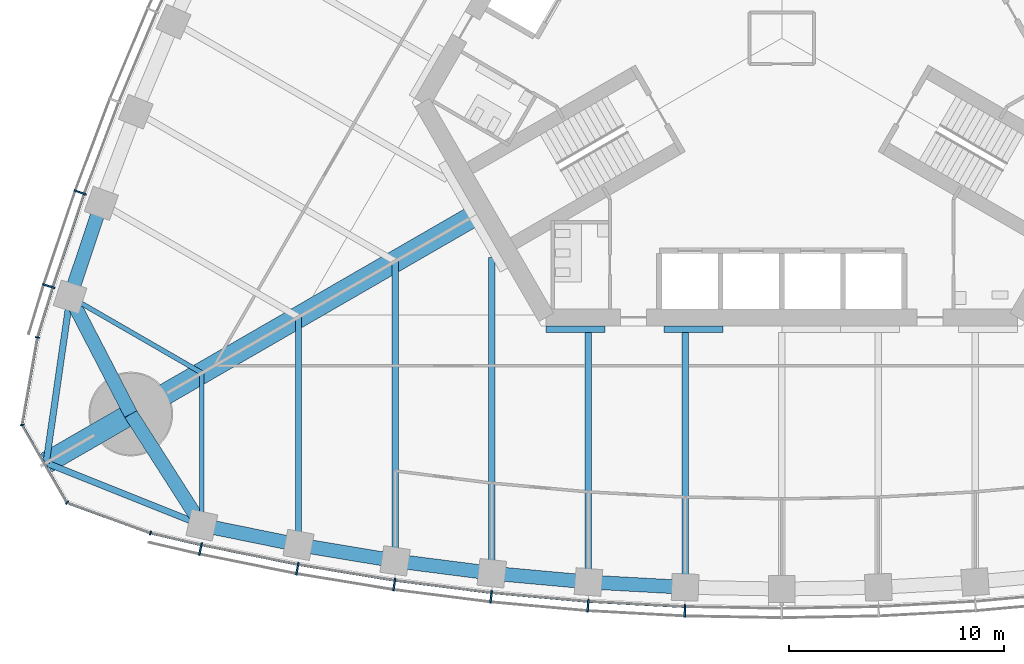
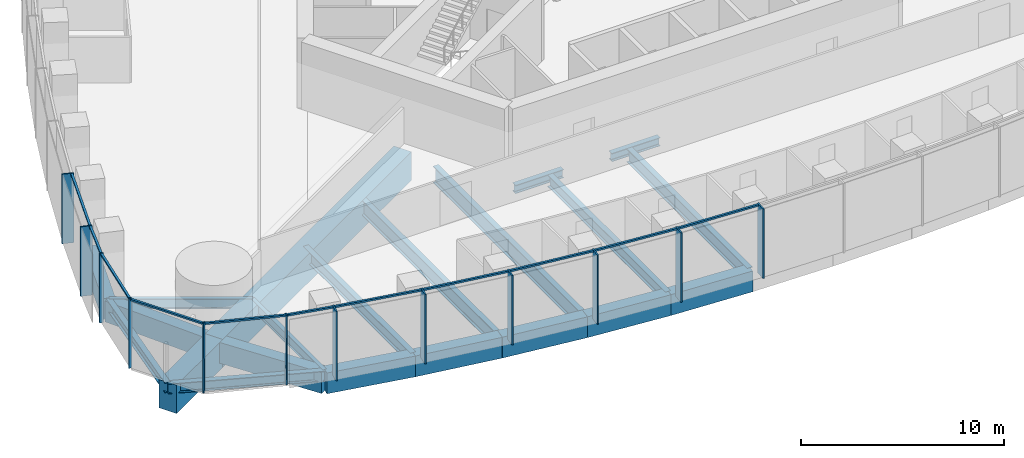
# One storey, part 2 of 21: 23 members, 21 beams, 3 elements without a shape of their own.
"""IFC4 building model written with IfcOpenShell, lengths in metres."""

from ifc_helpers import new_model, si_unit, direction, frame, origin, origin_2d, place, context, subcontext, project, spatial, rectangle, i_section, extrude, material, material_profile, profile_set, type_object, element, aggregate, save


model = new_model("IFC4")

# Units and contexts
model_context = context("Model", 3, precision=1e-05, world=origin(), true_north=direction((0.0, 1.0)))
body_context = subcontext(model_context, "Body", "Model", "MODEL_VIEW")
ifc_project = project(units=[si_unit("LENGTHUNIT", "METRE"), si_unit("AREAUNIT", "SQUARE_METRE"), si_unit("VOLUMEUNIT", "CUBIC_METRE"), si_unit("PLANEANGLEUNIT", "RADIAN"), si_unit("MASSUNIT", "GRAM", prefix="KILO")], contexts=[model_context])

# Site, building, storey
site_placement = place(None, origin())
site = spatial("IfcSite", under=ifc_project, at=site_placement, CompositionType="ELEMENT")
building_placement = place(site_placement, origin())
building = spatial("IfcBuilding", under=site, at=building_placement, Name="Trefoil Bronze Tower", CompositionType="ELEMENT")
storey_placement = place(building_placement, frame((0.0, 0.0, 145.10009765625)))
storey = spatial("IfcBuildingStorey", under=building, at=storey_placement, Name="L33", CompositionType="ELEMENT", Elevation=145.10009765625)

# Curtain wall, members
ifc_material_1 = material(Name="Tinted solar-control glass", Category="glass")
curtain_wall_type_1 = type_object("IfcCurtainWallType", Name="Bronze office curtain wall", PredefinedType="USERDEFINED", material=ifc_material_1)
curtain_wall_1_placement = place(storey_placement, origin())
curtain_wall_1 = element("IfcCurtainWall", 1, at=curtain_wall_1_placement, inside=storey, type_object=curtain_wall_type_1, Name="CW-A L33 F1", ObjectType="CURTAIN WALL", PredefinedType="USERDEFINED")
ifc_material_2 = material(Name="Bronze-finish aluminium", Category="aluminium")
ifc_material_profile_1 = material_profile(ifc_material_2, rectangle(XDim=0.60009765625, YDim=0.080078125, at=origin_2d()), Name="CW-A mullion")
ifc_profile_set_1 = profile_set([ifc_material_profile_1], Name="Bronze-finish aluminium")
member_type_1 = type_object("IfcMemberType", Name="Bronze office curtain wall mullion", PredefinedType="MULLION", material=ifc_profile_set_1)
member_1_placement = place(storey_placement, frame((-27.0634765625, -23.7890625, 0.0), z_axis=(0.0, 0.0, 1.0), x_axis=(0.21197042503, 0.977276081214, 0.0)))
member_1 = element("IfcMember", 2, at=member_1_placement, type_object=member_type_1, Name="CW-A L33 F1 mullion 2", PredefinedType="MULLION", context=body_context, shape_type="SweptSolid", body=[
    extrude(rectangle(XDim=0.60009765625, YDim=0.080078125, at=origin_2d()), origin(), (0.0, 0.0, 1.0), 4.179931640625),
])
member_2_placement = place(storey_placement, frame((-22.553955078125, -24.700927734375, 0.0), z_axis=(0.0, 0.0, 1.0), x_axis=(0.180240853954, 0.98362250613, 0.0)))
member_2 = element("IfcMember", 3, at=member_2_placement, type_object=member_type_1, Name="CW-A L33 F1 mullion 3", PredefinedType="MULLION", context=body_context, shape_type="SweptSolid", body=[
    extrude(rectangle(XDim=0.60009765625, YDim=0.080078125, at=origin_2d()), origin(), (0.0, 0.0, 1.0), 4.179931640625),
])
member_3_placement = place(storey_placement, frame((-18.043212890625, -25.4423828125, 0.0), z_axis=(0.0, 0.0, 1.0), x_axis=(0.144192103798, 0.989549714366, 0.0)))
member_3 = element("IfcMember", 4, at=member_3_placement, type_object=member_type_1, Name="CW-A L33 F1 mullion 4", PredefinedType="MULLION", context=body_context, shape_type="SweptSolid", body=[
    extrude(rectangle(XDim=0.60009765625, YDim=0.080078125, at=origin_2d()), origin(), (0.0, 0.0, 1.0), 4.179931640625),
])
member_4_placement = place(storey_placement, frame((-13.532470703125, -26.01611328125, 0.0), z_axis=(0.0, 0.0, 1.0), x_axis=(0.108143747013, 0.994135267447, 0.0)))
member_4 = element("IfcMember", 5, at=member_4_placement, type_object=member_type_1, Name="CW-A L33 F1 mullion 5", PredefinedType="MULLION", context=body_context, shape_type="SweptSolid", body=[
    extrude(rectangle(XDim=0.60009765625, YDim=0.080078125, at=origin_2d()), origin(), (0.0, 0.0, 1.0), 4.179931640625),
])
member_5_placement = place(storey_placement, frame((-9.021728515625, -26.424072265625, 0.0), z_axis=(0.0, 0.0, 1.0), x_axis=(0.072095676284, 0.997397720802, 0.0)))
member_5 = element("IfcMember", 6, at=member_5_placement, type_object=member_type_1, Name="CW-A L33 F1 mullion 6", PredefinedType="MULLION", context=body_context, shape_type="SweptSolid", body=[
    extrude(rectangle(XDim=0.60009765625, YDim=0.080078125, at=origin_2d()), origin(), (0.0, 0.0, 1.0), 4.179931640625),
])
member_6_placement = place(storey_placement, frame((-4.5107421875, -26.66845703125, 0.0), z_axis=(0.0, 0.0, 1.0), x_axis=(0.036047792107, 0.999350067136, 0.0)))
member_6 = element("IfcMember", 7, at=member_6_placement, type_object=member_type_1, Name="CW-A L33 F1 mullion 7", PredefinedType="MULLION", context=body_context, shape_type="SweptSolid", body=[
    extrude(rectangle(XDim=0.60009765625, YDim=0.080078125, at=origin_2d()), origin(), (0.0, 0.0, 1.0), 4.179931640625),
])

curtain_wall_2_placement = place(storey_placement, origin())
curtain_wall_2 = element("IfcCurtainWall", 8, at=curtain_wall_2_placement, inside=storey, type_object=curtain_wall_type_1, Name="CW-A L33 F3", ObjectType="CURTAIN WALL", PredefinedType="USERDEFINED")
member_7_placement = place(storey_placement, frame((-32.668701171875, -7.181884765625, 0.0), z_axis=(0.0, 0.0, 1.0), x_axis=(0.94196250502, -0.335718094742, 0.0)))
member_7 = element("IfcMember", 9, at=member_7_placement, type_object=member_type_1, Name="CW-A L33 F3 mullion 13", PredefinedType="MULLION", context=body_context, shape_type="SweptSolid", body=[
    extrude(rectangle(XDim=0.60009765625, YDim=0.080078125, at=origin_2d()), origin(), (0.0, 0.0, 1.0), 4.179931640625),
])
member_8_placement = place(storey_placement, frame((-34.1337890625, -11.543212890625, 0.0), z_axis=(0.0, 0.0, 1.0), x_axis=(0.952331125357, -0.30506626768, 0.0)))
member_8 = element("IfcMember", 10, at=member_8_placement, type_object=member_type_1, Name="CW-A L33 F3 mullion 14", PredefinedType="MULLION", context=body_context, shape_type="SweptSolid", body=[
    extrude(rectangle(XDim=0.60009765625, YDim=0.080078125, at=origin_2d()), origin(), (0.0, 0.0, 1.0), 4.179931640625),
])

# Member
ifc_material_3 = material(Name="Bronze-finish aluminium", Category="aluminium")
ifc_material_profile_2 = material_profile(ifc_material_3, rectangle(XDim=0.1201171875, YDim=0.10009765625, at=origin_2d()), Name="CW-A transom")
ifc_profile_set_2 = profile_set([ifc_material_profile_2], Name="Bronze-finish aluminium")
member_type_2 = type_object("IfcMemberType", Name="Bronze office curtain wall transom", PredefinedType="USERDEFINED", material=ifc_profile_set_2)
member_9_placement = place(storey_placement, frame((-29.34130859375, -23.05615234375, 4.1298828125), z_axis=(0.974206243495, -0.225659467196, 0.0), x_axis=(0.225659467196, 0.974206243495, 0.0)))
member_9 = element("IfcMember", 11, at=member_9_placement, type_object=member_type_2, Name="CW-A L33 F1 transom 1", ObjectType="TRANSOM", PredefinedType="USERDEFINED", context=body_context, shape_type="SweptSolid", body=[
    extrude(rectangle(XDim=0.1201171875, YDim=0.10009765625, at=origin_2d()), origin(), (0.0, 0.0, 1.0), 2.340087890625),
])

member_10_placement = place(storey_placement, frame((-26.980712890625, -23.601806640625, 4.1298828125), z_axis=(0.980153749225, -0.198238815273, 0.0), x_axis=(0.198238815273, 0.980153749225, 0.0)))
member_10 = element("IfcMember", 12, at=member_10_placement, type_object=member_type_2, Name="CW-A L33 F1 transom 2", ObjectType="TRANSOM", PredefinedType="USERDEFINED", context=body_context, shape_type="SweptSolid", body=[
    extrude(rectangle(XDim=0.1201171875, YDim=0.10009765625, at=origin_2d()), origin(), (0.0, 0.0, 1.0), 4.51123046875),
])

member_11_placement = place(storey_placement, frame((-22.476806640625, -24.510986328125, 4.1298828125), z_axis=(0.986755265284, -0.162216048636, 0.0), x_axis=(0.162216048636, 0.986755265284, 0.0)))
member_11 = element("IfcMember", 13, at=member_11_placement, type_object=member_type_2, Name="CW-A L33 F1 transom 3", ObjectType="TRANSOM", PredefinedType="USERDEFINED", context=body_context, shape_type="SweptSolid", body=[
    extrude(rectangle(XDim=0.1201171875, YDim=0.10009765625, at=origin_2d()), origin(), (0.0, 0.0, 1.0), 4.48046875),
])

member_12_placement = place(storey_placement, frame((-17.972900390625, -25.249755859375, 4.1298828125), z_axis=(0.992008387848, -0.12617193998, 0.0), x_axis=(0.12617193998, 0.992008387848, 0.0)))
member_12 = element("IfcMember", 14, at=member_12_placement, type_object=member_type_2, Name="CW-A L33 F1 transom 4", ObjectType="TRANSOM", PredefinedType="USERDEFINED", context=body_context, shape_type="SweptSolid", body=[
    extrude(rectangle(XDim=0.1201171875, YDim=0.10009765625, at=origin_2d()), origin(), (0.0, 0.0, 1.0), 4.456298828125),
])

member_13_placement = place(storey_placement, frame((-13.46923828125, -25.821044921875, 4.1298828125), z_axis=(0.995932787062, -0.090099298863, 0.0), x_axis=(0.090099298863, 0.995932787062, 0.0)))
member_13 = element("IfcMember", 15, at=member_13_placement, type_object=member_type_2, Name="CW-A L33 F1 transom 5", ObjectType="TRANSOM", PredefinedType="USERDEFINED", context=body_context, shape_type="SweptSolid", body=[
    extrude(rectangle(XDim=0.1201171875, YDim=0.10009765625, at=origin_2d()), origin(), (0.0, 0.0, 1.0), 4.4384765625),
])

member_14_placement = place(storey_placement, frame((-8.965576171875, -26.22705078125, 4.1298828125), z_axis=(0.998538253569, -0.054049571306, 0.0), x_axis=(0.054049571306, 0.998538253569, 0.0)))
member_14 = element("IfcMember", 16, at=member_14_placement, type_object=member_type_2, Name="CW-A L33 F1 transom 6", ObjectType="TRANSOM", PredefinedType="USERDEFINED", context=body_context, shape_type="SweptSolid", body=[
    extrude(rectangle(XDim=0.1201171875, YDim=0.10009765625, at=origin_2d()), origin(), (0.0, 0.0, 1.0), 4.4267578125),
])

aggregate(curtain_wall_1, [member_1, member_2, member_3, member_4, member_5, member_6, member_9, member_10, member_11, member_12, member_13, member_14])

member_15_placement = place(storey_placement, frame((-32.49365234375, -7.28857421875, 4.1298828125), z_axis=(-0.318386323729, -0.947961048178, 0.0), x_axis=(0.947961048178, -0.318386323729, 0.0)))
member_15 = element("IfcMember", 17, at=member_15_placement, type_object=member_type_2, Name="CW-A L33 F3 transom 13", ObjectType="TRANSOM", PredefinedType="USERDEFINED", context=body_context, shape_type="SweptSolid", body=[
    extrude(rectangle(XDim=0.1201171875, YDim=0.10009765625, at=origin_2d()), origin(), (0.0, 0.0, 1.0), 4.51123046875),
])

member_16_placement = place(storey_placement, frame((-33.955322265625, -11.643798828125, 4.1298828125), z_axis=(-0.291680468798, -0.956515814883, 0.0), x_axis=(0.956515814883, -0.291680468798, 0.0)))
member_16 = element("IfcMember", 18, at=member_16_placement, type_object=member_type_2, Name="CW-A L33 F3 transom 14", ObjectType="TRANSOM", PredefinedType="USERDEFINED", context=body_context, shape_type="SweptSolid", body=[
    extrude(rectangle(XDim=0.1201171875, YDim=0.10009765625, at=origin_2d()), origin(), (0.0, 0.0, 1.0), 2.34033203125),
])

aggregate(curtain_wall_2, [member_7, member_8, member_15, member_16])

# Curtain wall, members
ifc_material_4 = material(Name="Tinted solar-control glass", Category="glass")
curtain_wall_type_2 = type_object("IfcCurtainWallType", Name="Bronze rounded corner curtain wall", PredefinedType="USERDEFINED", material=ifc_material_4)
curtain_wall_3_placement = place(storey_placement, origin())
curtain_wall_3 = element("IfcCurtainWall", 19, at=curtain_wall_3_placement, inside=storey, type_object=curtain_wall_type_2, Name="CW-B L33 K3", ObjectType="CURTAIN WALL", PredefinedType="USERDEFINED")
ifc_material_5 = material(Name="Bronze-finish aluminium", Category="aluminium")
ifc_material_profile_3 = material_profile(ifc_material_5, rectangle(XDim=0.199951171875, YDim=0.06005859375, at=origin_2d()), Name="CW-B mullion")
ifc_profile_set_3 = profile_set([ifc_material_profile_3], Name="Bronze-finish aluminium")
member_type_3 = type_object("IfcMemberType", Name="Bronze rounded corner curtain wall mullion", PredefinedType="MULLION", material=ifc_profile_set_3)
member_17_placement = place(storey_placement, frame((-34.65234375, -13.932373046875, 0.0), z_axis=(0.0, 0.0, 1.0), x_axis=(0.984807753012, -0.173648177667, 0.0)))
member_17 = element("IfcMember", 20, at=member_17_placement, type_object=member_type_3, Name="CW-B L33 K3 mullion 1", PredefinedType="MULLION", context=body_context, shape_type="SweptSolid", body=[
    extrude(rectangle(XDim=0.199951171875, YDim=0.06005859375, at=origin_2d()), origin(), (0.0, 0.0, 1.0), 4.179931640625),
])
member_18_placement = place(storey_placement, frame((-35.364990234375, -18.009033203125, 0.0), z_axis=(0.0, 0.0, 1.0), x_axis=(0.984807753012, 0.173648177667, 0.0)))
member_18 = element("IfcMember", 21, at=member_18_placement, type_object=member_type_3, Name="CW-B L33 K3 mullion 2", PredefinedType="MULLION", context=body_context, shape_type="SweptSolid", body=[
    extrude(rectangle(XDim=0.199951171875, YDim=0.06005859375, at=origin_2d()), origin(), (0.0, 0.0, 1.0), 4.179931640625),
])
member_19_placement = place(storey_placement, frame((-33.27880859375, -21.62255859375, 0.0), z_axis=(0.0, 0.0, 1.0), x_axis=(0.642787609687, 0.766044443119, 0.0)))
member_19 = element("IfcMember", 22, at=member_19_placement, type_object=member_type_3, Name="CW-B L33 K3 mullion 3", PredefinedType="MULLION", context=body_context, shape_type="SweptSolid", body=[
    extrude(rectangle(XDim=0.199951171875, YDim=0.06005859375, at=origin_2d()), origin(), (0.0, 0.0, 1.0), 4.179931640625),
])
member_20_placement = place(storey_placement, frame((-29.391845703125, -23.043701171875, 0.0), z_axis=(0.0, 0.0, 1.0), x_axis=(0.342020143326, 0.939692620786, 0.0)))
member_20 = element("IfcMember", 23, at=member_20_placement, type_object=member_type_3, Name="CW-B L33 K3 mullion 4", PredefinedType="MULLION", context=body_context, shape_type="SweptSolid", body=[
    extrude(rectangle(XDim=0.199951171875, YDim=0.06005859375, at=origin_2d()), origin(), (0.0, 0.0, 1.0), 4.179931640625),
])
ifc_material_6 = material(Name="Bronze-finish aluminium", Category="aluminium")
ifc_material_profile_4 = material_profile(ifc_material_6, rectangle(XDim=0.1201171875, YDim=0.10009765625, at=origin_2d()), Name="CW-B transom")
ifc_profile_set_4 = profile_set([ifc_material_profile_4], Name="Bronze-finish aluminium")
member_type_4 = type_object("IfcMemberType", Name="Bronze rounded corner curtain wall transom", PredefinedType="USERDEFINED", material=ifc_profile_set_4)
member_21_placement = place(storey_placement, frame((-34.657470703125, -13.9619140625, 4.1298828125), z_axis=(-0.173682016639, -0.984801785689, 0.0), x_axis=(0.984801785689, -0.173682016639, 0.0)))
member_21 = element("IfcMember", 24, at=member_21_placement, type_object=member_type_4, Name="CW-B L33 K3 transom 1", ObjectType="TRANSOM", PredefinedType="USERDEFINED", context=body_context, shape_type="SweptSolid", body=[
    extrude(rectangle(XDim=0.1201171875, YDim=0.10009765625, at=origin_2d()), origin(), (0.0, 0.0, 1.0), 4.044189453125),
])
member_22_placement = place(storey_placement, frame((-35.338134765625, -18.067626953125, 4.1298828125), z_axis=(0.500015078168, -0.866016698225, 0.0), x_axis=(0.866016698225, 0.500015078168, 0.0)))
member_22 = element("IfcMember", 25, at=member_22_placement, type_object=member_type_4, Name="CW-B L33 K3 transom 2", ObjectType="TRANSOM", PredefinedType="USERDEFINED", context=body_context, shape_type="SweptSolid", body=[
    extrude(rectangle(XDim=0.1201171875, YDim=0.10009765625, at=origin_2d()), origin(), (0.0, 0.0, 1.0), 4.04443359375),
])
member_23_placement = place(storey_placement, frame((-33.220458984375, -21.650146484375, 4.1298828125), z_axis=(0.939684096629, -0.342043562347, 0.0), x_axis=(0.342043562347, 0.939684096629, 0.0)))
member_23 = element("IfcMember", 26, at=member_23_placement, type_object=member_type_4, Name="CW-B L33 K3 transom 3", ObjectType="TRANSOM", PredefinedType="USERDEFINED", context=body_context, shape_type="SweptSolid", body=[
    extrude(rectangle(XDim=0.1201171875, YDim=0.10009765625, at=origin_2d()), origin(), (0.0, 0.0, 1.0), 4.044189453125),
])
aggregate(curtain_wall_3, [member_17, member_18, member_19, member_20, member_21, member_22, member_23])

# Beams
ifc_material_7 = material(Name="Steel C355", Category="steel")
ifc_material_profile_5 = material_profile(ifc_material_7, i_section(OverallWidth=0.300048828125, OverallDepth=0.5, WebThickness=0.014404296875, FlangeThickness=0.028076171875, FilletRadius=0.027099609375, at=origin_2d()), Name="HEB 500")
ifc_profile_set_5 = profile_set([ifc_material_profile_5], Name="Steel C355")
beam_type_1 = type_object("IfcBeamType", Name="Core seat beam HEB 500", PredefinedType="BEAM", material=ifc_profile_set_5)
for number, where, z_axis, x_axis, name in (
    (27, (-10.9697265625, -13.550048828125, -0.4501953125), (1.0, 0.0, 0.0), (0.0, 1.0, 0.0), "Core seat beam F1/-2 L33"),
    (28, (-5.48486328125, -13.550048828125, -0.4501953125), (1.0, 0.0, 0.0), (0.0, 1.0, 0.0), "Core seat beam F1/-1 L33"),
):
    element("IfcBeam", number, at=place(storey_placement, frame(where, z_axis=z_axis, x_axis=x_axis)), inside=storey, type_object=beam_type_1, Name=name, PredefinedType="BEAM", context=body_context, shape_type="SweptSolid", body=[
        extrude(i_section(OverallWidth=0.300048828125, OverallDepth=0.5, WebThickness=0.014404296875, FlangeThickness=0.028076171875, FilletRadius=0.027099609375, at=origin_2d()), origin(), (0.0, 0.0, 1.0), 2.742431640625),
    ])
ifc_material_8 = material(Name="Concrete B80", Category="concrete")
ifc_material_profile_6 = material_profile(ifc_material_8, rectangle(XDim=1.0, YDim=1.699951171875, at=origin_2d()), Name="RC 1000x1700")
ifc_profile_set_6 = profile_set([ifc_material_profile_6], Name="Concrete B80")
beam_type_2 = type_object("IfcBeamType", Name="Corner cantilever RC 1000x1700", PredefinedType="BEAM", material=ifc_profile_set_6)
beam_1_placement = place(storey_placement, frame((-30.310791015625, -17.5, -1.050048828125), z_axis=(-0.866031878637, -0.499988785058, 0.0), x_axis=(0.499988785058, -0.866031878637, 0.0)))
element("IfcBeam", 29, at=beam_1_placement, inside=storey, type_object=beam_type_2, Name="Corner cantilever K3 L33", PredefinedType="BEAM", context=body_context, shape_type="SweptSolid", body=[
    extrude(rectangle(XDim=1.0, YDim=1.699951171875, at=origin_2d()), origin(), (0.0, 0.0, 1.0), 4.54931640625),
])
ifc_material_9 = material(Name="Steel C355", Category="steel")
ifc_material_profile_7 = material_profile(ifc_material_9, i_section(OverallWidth=0.300048828125, OverallDepth=0.60009765625, WebThickness=0.015380859375, FlangeThickness=0.030029296875, FilletRadius=0.027099609375, at=origin_2d()), Name="HEB 600")
ifc_profile_set_7 = profile_set([ifc_material_profile_7], Name="Steel C355")
beam_type_3 = type_object("IfcBeamType", Name="Corner edge beam HEB 600", PredefinedType="BEAM", material=ifc_profile_set_7)
for number, where, z_axis, x_axis, name in (
    (30, (-27.0, -22.67724609375, -0.5), (-0.928375332495, 0.371643972122, 0.0), (-0.371643972122, -0.928375332495, 0.0), "Corner edge beam F1B L33"),
    (31, (-33.13916015625, -12.044189453125, -0.5), (-0.142327214588, -0.989819662357, 0.0), (0.989819662357, -0.142327214588, 0.0), "Corner edge beam F3A L33"),
):
    element("IfcBeam", number, at=place(storey_placement, frame(where, z_axis=z_axis, x_axis=x_axis)), inside=storey, type_object=beam_type_3, Name=name, PredefinedType="BEAM", context=body_context, shape_type="SweptSolid", body=[
        extrude(i_section(OverallWidth=0.300048828125, OverallDepth=0.60009765625, WebThickness=0.015380859375, FlangeThickness=0.030029296875, FilletRadius=0.027099609375, at=origin_2d()), origin(), (0.0, 0.0, 1.0), 7.81005859375),
    ])
ifc_material_10 = material(Name="Concrete B80", Category="concrete")
ifc_material_profile_8 = material_profile(ifc_material_10, rectangle(XDim=1.0, YDim=1.699951171875, at=origin_2d()), Name="RC 1000x1700")
ifc_profile_set_8 = profile_set([ifc_material_profile_8], Name="Concrete B80")
beam_type_4 = type_object("IfcBeamType", Name="Corner girder RC 1000x1700", PredefinedType="BEAM", material=ifc_profile_set_8)
beam_2_placement = place(storey_placement, frame((-14.202880859375, -8.199951171875, -1.050048828125), z_axis=(-0.866022084834, -0.500005748546, 0.0), x_axis=(0.500005748546, -0.866022084834, 0.0)))
element("IfcBeam", 32, at=beam_2_placement, inside=storey, type_object=beam_type_4, Name="Corner girder K3 L33", PredefinedType="BEAM", context=body_context, shape_type="SweptSolid", body=[
    extrude(rectangle(XDim=1.0, YDim=1.699951171875, at=origin_2d()), origin(), (0.0, 0.0, 1.0), 18.599853515625),
])
ifc_material_11 = material(Name="Concrete B80", Category="concrete")
ifc_material_profile_9 = material_profile(ifc_material_11, rectangle(XDim=0.64990234375, YDim=1.25, at=origin_2d()), Name="RC 650x1250")
ifc_profile_set_9 = profile_set([ifc_material_profile_9], Name="Concrete B80")
beam_type_5 = type_object("IfcBeamType", Name="End spandrel beam RC 650x1250", PredefinedType="SPANDREL", material=ifc_profile_set_9)
for number, where, z_axis, x_axis, name in (
    (33, (-30.310791015625, -17.5, -0.8251953125), (0.53874814953, -0.84246687257, 0.0), (0.84246687257, 0.53874814953, 0.0), "Spandrel F1.1 L33"),
    (34, (-33.13916015625, -12.044189453125, -0.8251953125), (0.460244107083, -0.887792409235, 0.0), (0.887792409235, 0.460244107083, 0.0), "Spandrel F3.14 L33"),
):
    element("IfcBeam", number, at=place(storey_placement, frame(where, z_axis=z_axis, x_axis=x_axis)), inside=storey, type_object=beam_type_5, Name=name, PredefinedType="SPANDREL", context=body_context, shape_type="SweptSolid", body=[
        extrude(rectangle(XDim=0.64990234375, YDim=1.25, at=origin_2d()), origin(), (0.0, 0.0, 1.0), 6.145263671875),
    ])
ifc_material_12 = material(Name="Steel C355", Category="steel")
ifc_material_profile_10 = material_profile(ifc_material_12, i_section(OverallWidth=0.300048828125, OverallDepth=1.0, WebThickness=0.01904296875, FlangeThickness=0.035888671875, FilletRadius=0.030029296875, at=origin_2d()), Name="HEB 1000")
ifc_profile_set_10 = profile_set([ifc_material_profile_10], Name="Steel C355")
beam_type_6 = type_object("IfcBeamType", Name="Floor beam HEB 1000", PredefinedType="BEAM", material=ifc_profile_set_10)
beam_3_placement = place(storey_placement, frame((-13.5, -24.9130859375, -0.7001953125), z_axis=(0.0, 1.0, 0.0), x_axis=(-1.0, 0.0, 0.0)))
element("IfcBeam", 35, at=beam_3_placement, inside=storey, type_object=beam_type_6, Name="Floor beam F1/-3 L33", PredefinedType="BEAM", context=body_context, shape_type="SweptSolid", body=[
    extrude(i_section(OverallWidth=0.300048828125, OverallDepth=1.0, WebThickness=0.01904296875, FlangeThickness=0.035888671875, FilletRadius=0.030029296875, at=origin_2d()), origin(), (0.0, 0.0, 1.0), 14.69580078125),
])
ifc_material_13 = material(Name="Steel C355", Category="steel")
ifc_material_profile_11 = material_profile(ifc_material_13, i_section(OverallWidth=0.300048828125, OverallDepth=0.699951171875, WebThickness=0.01708984375, FlangeThickness=0.031982421875, FilletRadius=0.027099609375, at=origin_2d()), Name="HEB 700")
ifc_profile_set_11 = profile_set([ifc_material_profile_11], Name="Steel C355")
beam_type_7 = type_object("IfcBeamType", Name="Floor beam HEB 700", PredefinedType="BEAM", material=ifc_profile_set_11)
beam_4_placement = place(storey_placement, frame((-22.5, -23.592529296875, -0.550048828125), z_axis=(0.0, 1.0, 0.0), x_axis=(-1.0, 0.0, 0.0)))
element("IfcBeam", 36, at=beam_4_placement, inside=storey, type_object=beam_type_7, Name="Floor beam F1/-5 L33", PredefinedType="BEAM", context=body_context, shape_type="SweptSolid", body=[
    extrude(i_section(OverallWidth=0.300048828125, OverallDepth=0.699951171875, WebThickness=0.01708984375, FlangeThickness=0.031982421875, FilletRadius=0.027099609375, at=origin_2d()), origin(), (0.0, 0.0, 1.0), 10.60205078125),
])
beam_5_placement = place(storey_placement, frame((-9.0, -25.32275390625, -0.550048828125), z_axis=(0.0, 1.0, 0.0), x_axis=(-1.0, 0.0, 0.0)))
element("IfcBeam", 37, at=beam_5_placement, inside=storey, type_object=beam_type_7, Name="Floor beam F1/-2 L33", PredefinedType="BEAM", context=body_context, shape_type="SweptSolid", body=[
    extrude(i_section(OverallWidth=0.300048828125, OverallDepth=0.699951171875, WebThickness=0.01708984375, FlangeThickness=0.031982421875, FilletRadius=0.027099609375, at=origin_2d()), origin(), (0.0, 0.0, 1.0), 11.622802734375),
])
ifc_material_14 = material(Name="Steel C355", Category="steel")
ifc_material_profile_12 = material_profile(ifc_material_14, i_section(OverallWidth=0.300048828125, OverallDepth=0.800048828125, WebThickness=0.017578125, FlangeThickness=0.032958984375, FilletRadius=0.030029296875, at=origin_2d()), Name="HEB 800")
ifc_profile_set_12 = profile_set([ifc_material_profile_12], Name="Steel C355")
beam_type_8 = type_object("IfcBeamType", Name="Floor beam HEB 800", PredefinedType="BEAM", material=ifc_profile_set_12)
beam_6_placement = place(storey_placement, frame((-4.5, -25.568115234375, -0.60009765625), z_axis=(0.0, 1.0, 0.0), x_axis=(-1.0, 0.0, 0.0)))
element("IfcBeam", 38, at=beam_6_placement, inside=storey, type_object=beam_type_8, Name="Floor beam F1/-1 L33", PredefinedType="BEAM", context=body_context, shape_type="SweptSolid", body=[
    extrude(i_section(OverallWidth=0.300048828125, OverallDepth=0.800048828125, WebThickness=0.017578125, FlangeThickness=0.032958984375, FilletRadius=0.030029296875, at=origin_2d()), origin(), (0.0, 0.0, 1.0), 11.8681640625),
])
ifc_material_15 = material(Name="Steel C355", Category="steel")
ifc_material_profile_13 = material_profile(ifc_material_15, i_section(OverallWidth=0.300048828125, OverallDepth=0.89990234375, WebThickness=0.0185546875, FlangeThickness=0.034912109375, FilletRadius=0.030029296875, at=origin_2d()), Name="HEB 900")
ifc_profile_set_13 = profile_set([ifc_material_profile_13], Name="Steel C355")
beam_type_9 = type_object("IfcBeamType", Name="Floor beam HEB 900", PredefinedType="BEAM", material=ifc_profile_set_13)
beam_7_placement = place(storey_placement, frame((-18.0, -24.337158203125, -0.650146484375), z_axis=(0.0, 1.0, 0.0), x_axis=(-1.0, 0.0, 0.0)))
element("IfcBeam", 39, at=beam_7_placement, inside=storey, type_object=beam_type_9, Name="Floor beam F1/-4 L33", PredefinedType="BEAM", context=body_context, shape_type="SweptSolid", body=[
    extrude(i_section(OverallWidth=0.300048828125, OverallDepth=0.89990234375, WebThickness=0.0185546875, FlangeThickness=0.034912109375, FilletRadius=0.030029296875, at=origin_2d()), origin(), (0.0, 0.0, 1.0), 13.94482421875),
])
ifc_material_16 = material(Name="Steel C355", Category="steel")
ifc_material_profile_14 = material_profile(ifc_material_16, i_section(OverallWidth=0.219970703125, OverallDepth=0.60009765625, WebThickness=0.011962890625, FlangeThickness=0.01904296875, FilletRadius=0.02392578125, at=origin_2d()), Name="IPE 600")
ifc_profile_set_14 = profile_set([ifc_material_profile_14], Name="Steel C355")
beam_type_10 = type_object("IfcBeamType", Name="Floor beam IPE 600", PredefinedType="BEAM", material=ifc_profile_set_14)
for number, where, z_axis, x_axis, name in (
    (40, (-27.0, -22.67724609375, -0.5), (0.0, 1.0, 0.0), (-1.0, 0.0, 0.0), "Floor beam F1/-6 L33"),
    (41, (-33.13916015625, -12.044189453125, -0.5), (0.866041060244, -0.499972881236, 0.0), (0.499972881236, 0.866041060244, 0.0), "Floor beam F3/+6 L33"),
):
    element("IfcBeam", number, at=place(storey_placement, frame(where, z_axis=z_axis, x_axis=x_axis)), inside=storey, type_object=beam_type_10, Name=name, PredefinedType="BEAM", context=body_context, shape_type="SweptSolid", body=[
        extrude(i_section(OverallWidth=0.219970703125, OverallDepth=0.60009765625, WebThickness=0.011962890625, FlangeThickness=0.01904296875, FilletRadius=0.02392578125, at=origin_2d()), origin(), (0.0, 0.0, 1.0), 7.0888671875),
    ])
ifc_material_17 = material(Name="Concrete B80", Category="concrete")
ifc_material_profile_15 = material_profile(ifc_material_17, rectangle(XDim=0.64990234375, YDim=1.25, at=origin_2d()), Name="RC 650x1250")
ifc_profile_set_15 = profile_set([ifc_material_profile_15], Name="Concrete B80")
beam_type_11 = type_object("IfcBeamType", Name="Spandrel beam RC 650x1250", PredefinedType="SPANDREL", material=ifc_profile_set_15)
beam_8_placement = place(storey_placement, frame((-27.0, -22.67724609375, -0.8251953125), z_axis=(0.979935430296, -0.199315208777, 0.0), x_axis=(0.199315208777, 0.979935430296, 0.0)))
element("IfcBeam", 42, at=beam_8_placement, inside=storey, type_object=beam_type_11, Name="Spandrel F1.2 L33", PredefinedType="SPANDREL", context=body_context, shape_type="SweptSolid", body=[
    extrude(rectangle(XDim=0.64990234375, YDim=1.25, at=origin_2d()), origin(), (0.0, 0.0, 1.0), 4.592041015625),
])
beam_9_placement = place(storey_placement, frame((-22.5, -23.592529296875, -0.8251953125), z_axis=(0.986584214684, -0.163253138823, 0.0), x_axis=(0.163253138823, 0.986584214684, 0.0)))
element("IfcBeam", 43, at=beam_9_placement, inside=storey, type_object=beam_type_11, Name="Spandrel F1.3 L33", PredefinedType="SPANDREL", context=body_context, shape_type="SweptSolid", body=[
    extrude(rectangle(XDim=0.64990234375, YDim=1.25, at=origin_2d()), origin(), (0.0, 0.0, 1.0), 4.561279296875),
])
beam_10_placement = place(storey_placement, frame((-18.0, -24.337158203125, -0.8251953125), z_axis=(0.991909314257, -0.126948463126, 0.0), x_axis=(0.126948463126, 0.991909314257, 0.0)))
element("IfcBeam", 44, at=beam_10_placement, inside=storey, type_object=beam_type_11, Name="Spandrel F1.4 L33", PredefinedType="SPANDREL", context=body_context, shape_type="SweptSolid", body=[
    extrude(rectangle(XDim=0.64990234375, YDim=1.25, at=origin_2d()), origin(), (0.0, 0.0, 1.0), 4.53662109375),
])
beam_11_placement = place(storey_placement, frame((-13.5, -24.9130859375, -0.8251953125), z_axis=(0.995881683815, -0.090662405894, 0.0), x_axis=(0.090662405894, 0.995881683815, 0.0)))
element("IfcBeam", 45, at=beam_11_placement, inside=storey, type_object=beam_type_11, Name="Spandrel F1.5 L33", PredefinedType="SPANDREL", context=body_context, shape_type="SweptSolid", body=[
    extrude(rectangle(XDim=0.64990234375, YDim=1.25, at=origin_2d()), origin(), (0.0, 0.0, 1.0), 4.5185546875),
])
beam_12_placement = place(storey_placement, frame((-9.0, -25.32275390625, -0.8251953125), z_axis=(0.998516832602, -0.054443870267, 0.0), x_axis=(0.054443870267, 0.998516832602, 0.0)))
element("IfcBeam", 46, at=beam_12_placement, inside=storey, type_object=beam_type_11, Name="Spandrel F1.6 L33", PredefinedType="SPANDREL", context=body_context, shape_type="SweptSolid", body=[
    extrude(rectangle(XDim=0.64990234375, YDim=1.25, at=origin_2d()), origin(), (0.0, 0.0, 1.0), 4.506591796875),
])
beam_13_placement = place(storey_placement, frame((-31.681884765625, -7.689208984375, -0.8251953125), z_axis=(-0.31732802068, -0.948315837309, 0.0), x_axis=(0.948315837309, -0.31732802068, 0.0)))
element("IfcBeam", 47, at=beam_13_placement, inside=storey, type_object=beam_type_11, Name="Spandrel F3.13 L33", PredefinedType="SPANDREL", context=body_context, shape_type="SweptSolid", body=[
    extrude(rectangle(XDim=0.64990234375, YDim=1.25, at=origin_2d()), origin(), (0.0, 0.0, 1.0), 4.59228515625),
])

save(model, "model.ifc")
